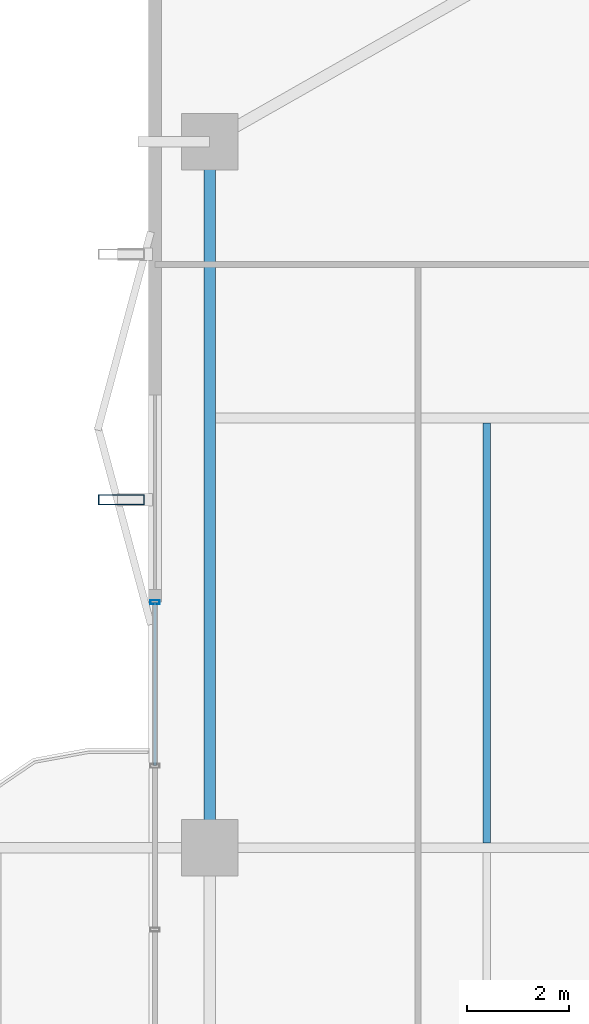
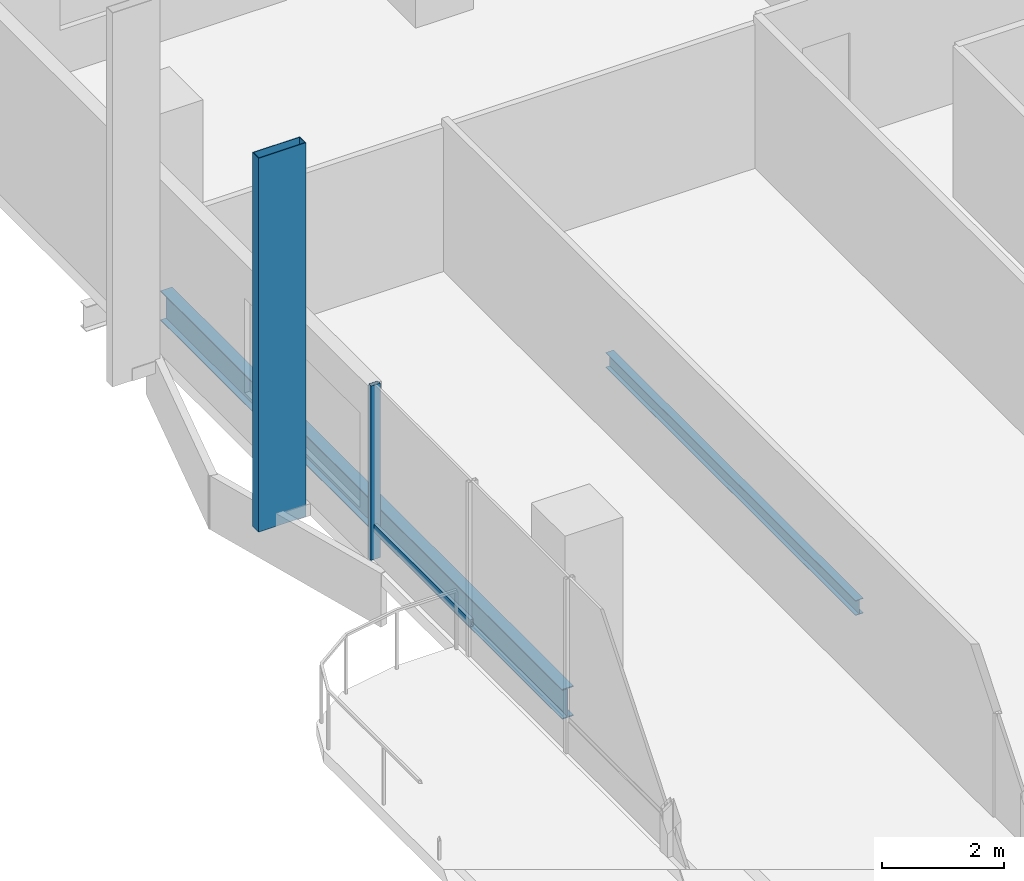
# One storey, part 9 of 24: 3 members, 2 beams, 1 element without a shape of its own.
"""IFC4 building model written with IfcOpenShell, lengths in metres."""

from ifc_helpers import new_model, si_unit, direction, frame, origin, origin_2d, place, context, subcontext, project, spatial, hollow_rectangle, i_section, extrude, material, layer, layer_set, material_profile, profile_set, type_object, element, aggregate, save


model = new_model("IFC4")

# Units and contexts
model_context = context("Model", 3, precision=1e-05, world=origin(), true_north=direction((0.0, 1.0)))
body_context = subcontext(model_context, "Body", "Model", "MODEL_VIEW")
ifc_project = project(units=[si_unit("LENGTHUNIT", "METRE"), si_unit("AREAUNIT", "SQUARE_METRE"), si_unit("VOLUMEUNIT", "CUBIC_METRE"), si_unit("PLANEANGLEUNIT", "RADIAN"), si_unit("MASSUNIT", "GRAM", prefix="KILO")], contexts=[model_context])

# Site, building, storey
site_placement = place(None, origin())
site = spatial("IfcSite", under=ifc_project, at=site_placement, CompositionType="ELEMENT")
building_placement = place(site_placement, origin())
building = spatial("IfcBuilding", under=site, at=building_placement, Name="Belovzor Exchange Tower", CompositionType="ELEMENT")
storey_placement = place(building_placement, frame((0.0, 0.0, 226.199951171875)))
storey = spatial("IfcBuildingStorey", under=building, at=storey_placement, Name="L56", CompositionType="ELEMENT", Elevation=226.199951171875)

# Beam
ifc_material_1 = material(Name="Steel S355", Category="steel")
ifc_material_profile_1 = material_profile(ifc_material_1, i_section(OverallWidth=0.14990234375, OverallDepth=0.300048828125, WebThickness=0.007080078125, FlangeThickness=0.0107421875, at=origin_2d()))
ifc_profile_set_1 = profile_set([ifc_material_profile_1], Name="Steel S355")
beam_type_1 = type_object("IfcBeamType", Name="Secondary Trim Floor Joist IPE 300", PredefinedType="BEAM", material=ifc_profile_set_1)
beam_1_placement = place(storey_placement, frame((8.4130859375, 28.89501953125, -0.39990234375), z_axis=(0.0, 1.0, 0.0), x_axis=(-1.0, 0.0, 0.0)))
element("IfcBeam", 1, at=beam_1_placement, inside=storey, type_object=beam_type_1, Name="FJ-300 Secondary Trim Floor Joist IPE 300", PredefinedType="BEAM", context=body_context, shape_type="SweptSolid", body=[
    extrude(i_section(OverallWidth=0.14990234375, OverallDepth=0.300048828125, WebThickness=0.007080078125, FlangeThickness=0.0107421875, at=origin_2d()), origin(), (0.0, 0.0, 1.0), 8.2099609375),
])

# Member
ifc_material_2 = material(Name="Extruded Architectural Terracotta on Steel S355 Carrier", Category="masonry")
ifc_material_profile_2 = material_profile(ifc_material_2, hollow_rectangle(XDim=0.199951171875, YDim=0.89990234375, WallThickness=0.011962890625, at=origin_2d()))
ifc_profile_set_2 = profile_set([ifc_material_profile_2], Name="Extruded Architectural Terracotta on Steel S355 Carrier")
member_type_1 = type_object("IfcMemberType", Name="Sweeping Terracotta Baguette Fin Assembly 950", PredefinedType="USERDEFINED", material=ifc_profile_set_2)
member_1_placement = place(storey_placement, frame((1.27490234375, 35.60009765625, -0.25), z_axis=(0.0, 0.0, 1.0), x_axis=(0.0, 1.0, 0.0)))
element("IfcMember", 2, at=member_1_placement, inside=storey, type_object=member_type_1, Name="FIN-TC095 Terracotta Facade Fin L56 W3", ObjectType="FIN", PredefinedType="USERDEFINED", context=body_context, shape_type="SweptSolid", body=[
    extrude(hollow_rectangle(XDim=0.199951171875, YDim=0.89990234375, WallThickness=0.011962890625, at=origin_2d()), origin(), (0.0, 0.0, 1.0), 7.5),
])

# Curtain wall, members
ifc_material_3 = material(Name="Anodised Aluminium Framing", Category="aluminium")
ifc_layer = layer(ifc_material_3, 0.179931640625)
ifc_layer_set = layer_set([ifc_layer], Name="Anodised Aluminium Framing")
curtain_wall_type = type_object("IfcCurtainWallType", Name="Recessed Loggia Low-Iron Triple-Glazed Curtain Wall", PredefinedType="NOTDEFINED", material=ifc_layer_set)
curtain_wall_placement = place(storey_placement, origin())
curtain_wall = element("IfcCurtainWall", 3, at=curtain_wall_placement, inside=storey, type_object=curtain_wall_type, Name="CW3 Recessed Loggia Low-Iron Triple-Glazed Curtain Wall L56", PredefinedType="NOTDEFINED")
ifc_material_4 = material(Name="Steel S355", Category="steel")
ifc_material_profile_3 = material_profile(ifc_material_4, hollow_rectangle(XDim=0.074951171875, YDim=0.179931640625, WallThickness=0.0048828125, at=origin_2d()))
ifc_profile_set_3 = profile_set([ifc_material_profile_3], Name="Steel S355")
member_type_2 = type_object("IfcMemberType", Name="Thermally Broken Curtain Wall Mullion 180x75", PredefinedType="MULLION", material=ifc_profile_set_3)
member_2_placement = place(storey_placement, frame((1.929931640625, 33.60009765625, 0.0), z_axis=(0.0, 0.0, 1.0), x_axis=(0.0, 1.0, 0.0)))
member_2 = element("IfcMember", 4, at=member_2_placement, type_object=member_type_2, Name="CW-M180 Curtain Wall Mullion 4", PredefinedType="MULLION", context=body_context, shape_type="SweptSolid", body=[
    extrude(hollow_rectangle(XDim=0.074951171875, YDim=0.179931640625, WallThickness=0.0048828125, at=origin_2d()), origin(), (0.0, 0.0, 1.0), 3.5),
])
ifc_material_5 = material(Name="Steel S355", Category="steel")
ifc_material_profile_4 = material_profile(ifc_material_5, hollow_rectangle(XDim=0.06005859375, YDim=0.14990234375, WallThickness=0.00390625, at=origin_2d()))
ifc_profile_set_4 = profile_set([ifc_material_profile_4], Name="Steel S355")
member_type_3 = type_object("IfcMemberType", Name="Thermally Broken Curtain Wall Transom 150x60", PredefinedType="USERDEFINED", material=ifc_profile_set_4)
member_3_placement = place(storey_placement, frame((1.929931640625, 30.407958984375, 0.630126953125), z_axis=(0.0, 1.0, 0.0), x_axis=(-1.0, 0.0, 0.0)))
member_3 = element("IfcMember", 5, at=member_3_placement, type_object=member_type_3, Name="CW-T150 Curtain Wall Transom 3", ObjectType="TRANSOM", PredefinedType="USERDEFINED", context=body_context, shape_type="SweptSolid", body=[
    extrude(hollow_rectangle(XDim=0.06005859375, YDim=0.14990234375, WallThickness=0.00390625, at=origin_2d()), origin(), (0.0, 0.0, 1.0), 3.18408203125),
])
aggregate(curtain_wall, [member_2, member_3])

# Beam
ifc_material_6 = material(Name="Steel S355", Category="steel")
ifc_material_profile_5 = material_profile(ifc_material_6, i_section(OverallWidth=0.219970703125, OverallDepth=0.60009765625, WebThickness=0.011962890625, FlangeThickness=0.01904296875, at=origin_2d()))
ifc_profile_set_5 = profile_set([ifc_material_profile_5], Name="Steel S355")
beam_type_2 = type_object("IfcBeamType", Name="Zone 4 Flare Primary Girder IPE 600", PredefinedType="BEAM", material=ifc_profile_set_5)
beam_2_placement = place(storey_placement, frame((3.0, 42.297119140625, -0.550048828125), z_axis=(0.0, -1.0, 0.0), x_axis=(1.0, 0.0, 0.0)))
element("IfcBeam", 6, at=beam_2_placement, inside=storey, type_object=beam_type_2, Name="FG-Z4 Zone 4 Flare Primary Girder IPE 600", PredefinedType="BEAM", context=body_context, shape_type="SweptSolid", body=[
    extrude(i_section(OverallWidth=0.219970703125, OverallDepth=0.60009765625, WebThickness=0.011962890625, FlangeThickness=0.01904296875, at=origin_2d()), origin(), (0.0, 0.0, 1.0), 13.195068359375),
])

save(model, "model.ifc")
